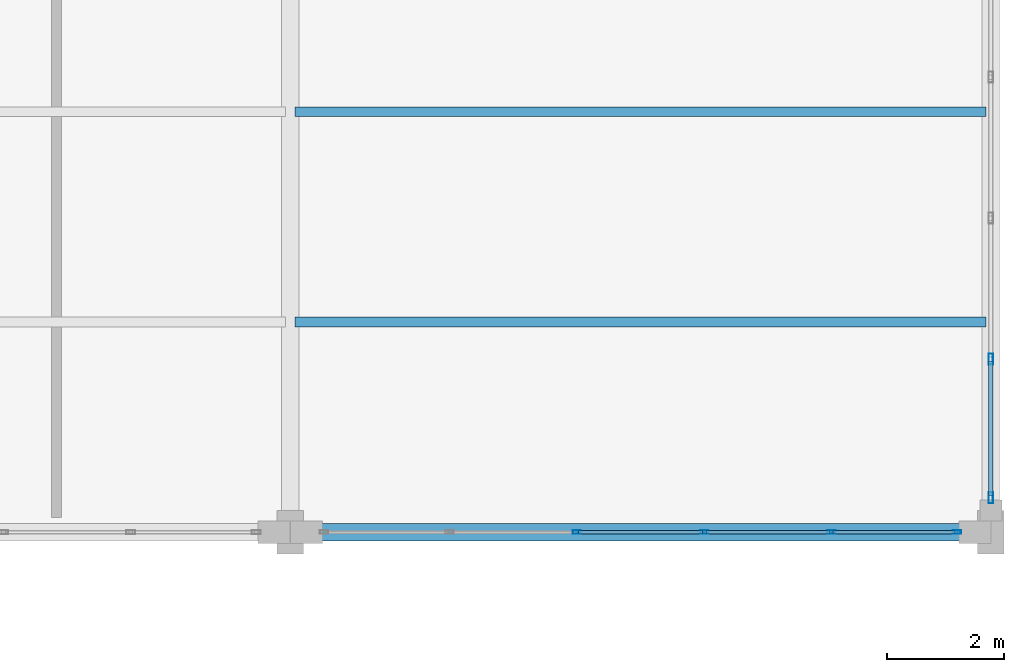
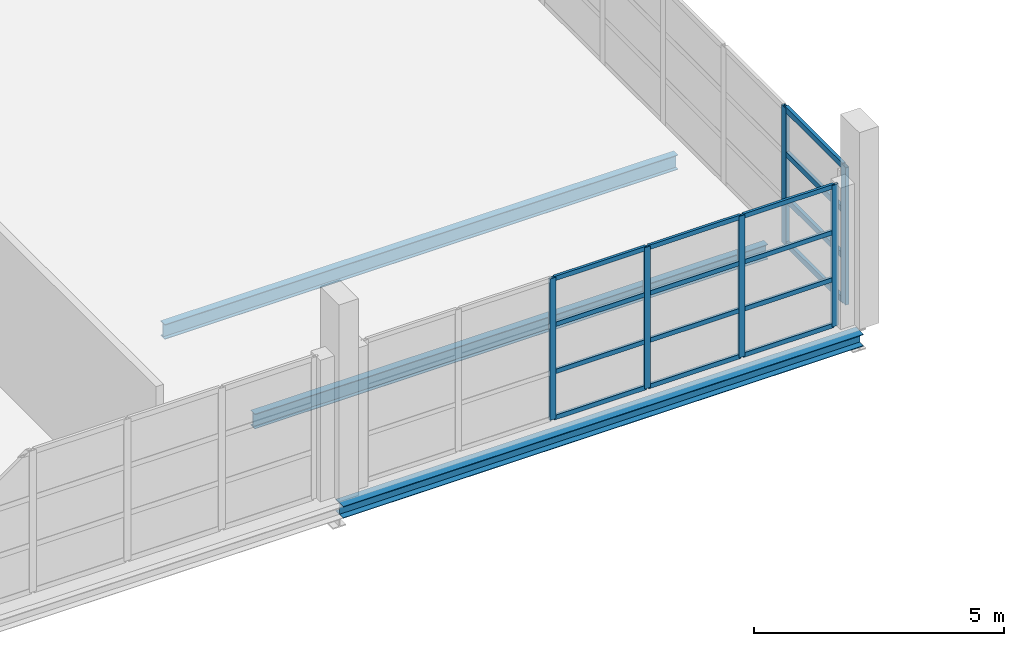
# One storey, part 37 of 86: 22 members, 3 beams, 2 elements without a shape of their own.
"""IFC4 building model written with IfcOpenShell, lengths in metres."""

from ifc_helpers import new_model, si_unit, direction, frame, origin, origin_2d, place, context, subcontext, project, spatial, hollow_rectangle, i_section, extrude, material, layer, layer_set, material_profile, profile_set, type_object, element, aggregate, save


model = new_model("IFC4")

# Units and contexts
model_context = context("Model", 3, precision=1e-05, world=origin(), true_north=direction((0.0, 1.0)))
body_context = subcontext(model_context, "Body", "Model", "MODEL_VIEW")
ifc_project = project(units=[si_unit("LENGTHUNIT", "METRE"), si_unit("AREAUNIT", "SQUARE_METRE"), si_unit("VOLUMEUNIT", "CUBIC_METRE"), si_unit("PLANEANGLEUNIT", "RADIAN"), si_unit("MASSUNIT", "GRAM", prefix="KILO")], contexts=[model_context])

# Site, building, storey
site_placement = place(None, origin())
site = spatial("IfcSite", under=ifc_project, at=site_placement, CompositionType="ELEMENT")
building_placement = place(site_placement, origin())
building = spatial("IfcBuilding", under=site, at=building_placement, Name="Zilviju Railside Exhibition Hall", CompositionType="ELEMENT")
storey_placement = place(building_placement, frame((0.0, 0.0, 12.60009765625)))
storey = spatial("IfcBuildingStorey", under=building, at=storey_placement, Name="L04", CompositionType="ELEMENT", Elevation=12.60009765625)

# Beams
ifc_material_1 = material(Name="Steel S355J2", Category="steel")
ifc_material_profile_1 = material_profile(ifc_material_1, i_section(OverallWidth=0.300048828125, OverallDepth=0.2900390625, WebThickness=0.008544921875, FlangeThickness=0.013916015625, at=origin_2d()), Name="HEA 300")
ifc_profile_set_1 = profile_set([ifc_material_profile_1], Name="Steel S355J2")
beam_type_1 = type_object("IfcBeamType", Name="BM-HEA300", PredefinedType="SPANDREL", material=ifc_profile_set_1)
beam_placement = place(storey_placement, frame((204.0, 84.0, -0.47509765625), z_axis=(1.0, 0.0, 0.0), x_axis=(0.0, 1.0, 0.0)))
element("IfcBeam", 1, at=beam_placement, inside=storey, type_object=beam_type_1, Name="Primary Girder L04 Y=84.0 (204.0..216.0)", PredefinedType="SPANDREL", context=body_context, shape_type="SweptSolid", body=[
    extrude(i_section(OverallWidth=0.300048828125, OverallDepth=0.2900390625, WebThickness=0.008544921875, FlangeThickness=0.013916015625, at=origin_2d()), origin(), (0.0, 0.0, 1.0), 12.0),
])
ifc_material_profile_2 = material_profile(ifc_material_1, i_section(OverallWidth=0.169921875, OverallDepth=0.360107421875, WebThickness=0.008056640625, FlangeThickness=0.0126953125, at=origin_2d()), Name="IPE 360")
ifc_profile_set_2 = profile_set([ifc_material_profile_2], Name="Steel S355J2")
beam_type_2 = type_object("IfcBeamType", Name="BM-IPE360", PredefinedType="JOIST", material=ifc_profile_set_2)
for number, where, z_axis, x_axis, name in (
    (2, (204.080078125, 87.60009765625, -0.510009765625), (1.0, 0.0, 0.0), (0.0, 1.0, 0.0), "Composite Floor Joist L04 Y=87.60 (204.0..216.0)"),
    (3, (204.080078125, 91.199951171875, -0.510009765625), (1.0, 0.0, 0.0), (0.0, 1.0, 0.0), "Composite Floor Joist L04 Y=91.20 (204.0..216.0)"),
):
    element("IfcBeam", number, at=place(storey_placement, frame(where, z_axis=z_axis, x_axis=x_axis)), inside=storey, type_object=beam_type_2, Name=name, PredefinedType="JOIST", context=body_context, shape_type="SweptSolid", body=[
        extrude(i_section(OverallWidth=0.169921875, OverallDepth=0.360107421875, WebThickness=0.008056640625, FlangeThickness=0.0126953125, at=origin_2d()), origin(), (0.0, 0.0, 1.0), 11.83984375),
    ])

# Curtain wall, members
ifc_material_2 = material(Name="Thermally broken aluminium-steel triple-glazed curtain wall", Category="steel")
ifc_layer_1 = layer(ifc_material_2, 0.179931640625)
ifc_layer_set_1 = layer_set([ifc_layer_1], Name="Thermally broken aluminium-steel triple-glazed curtain wall")
curtain_wall_type_1 = type_object("IfcCurtainWallType", Name="CW-BAY-19", PredefinedType="USERDEFINED", material=ifc_layer_set_1)
curtain_wall_1_placement = place(storey_placement, origin())
curtain_wall_1 = element("IfcCurtainWall", 4, at=curtain_wall_1_placement, inside=storey, type_object=curtain_wall_type_1, Name="North Hall Garden Court Curtain Wall L04 (204..216)", ObjectType="GLAZED CURTAIN WALL", PredefinedType="USERDEFINED")
ifc_material_3 = material(Name="Thermally broken anodized aluminium mullion", Category="aluminium")
ifc_material_profile_3 = material_profile(ifc_material_3, hollow_rectangle(XDim=0.06005859375, YDim=0.139892578125, WallThickness=0.0048828125, at=origin_2d()), Name="MULLION 140x60x5")
ifc_profile_set_3 = profile_set([ifc_material_profile_3], Name="Thermally broken anodized aluminium mullion")
member_type_1 = type_object("IfcMemberType", Name="CWM-60x140", PredefinedType="MULLION", material=ifc_profile_set_3)
member_1_placement = place(storey_placement, frame((215.419921875, 84.0, 0.0), z_axis=(0.0, 0.0, 1.0), x_axis=(0.0, -1.0, 0.0)))
member_1 = element("IfcMember", 5, at=member_1_placement, type_object=member_type_1, Name="CW-19 mullion 1", PredefinedType="MULLION", context=body_context, shape_type="SweptSolid", body=[
    extrude(hollow_rectangle(XDim=0.06005859375, YDim=0.139892578125, WallThickness=0.0048828125, at=origin_2d()), origin(), (0.0, 0.0, 1.0), 3.449951171875),
])
member_2_placement = place(storey_placement, frame((213.27001953125, 84.0, 0.0), z_axis=(0.0, 0.0, 1.0), x_axis=(0.0, -1.0, 0.0)))
member_2 = element("IfcMember", 6, at=member_2_placement, type_object=member_type_1, Name="CW-19 mullion 2", PredefinedType="MULLION", context=body_context, shape_type="SweptSolid", body=[
    extrude(hollow_rectangle(XDim=0.06005859375, YDim=0.139892578125, WallThickness=0.0048828125, at=origin_2d()), origin(), (0.0, 0.0, 1.0), 3.449951171875),
])
member_3_placement = place(storey_placement, frame((211.090087890625, 84.0, 0.0), z_axis=(0.0, 0.0, 1.0), x_axis=(0.0, -1.0, 0.0)))
member_3 = element("IfcMember", 7, at=member_3_placement, type_object=member_type_1, Name="CW-19 mullion 3", PredefinedType="MULLION", context=body_context, shape_type="SweptSolid", body=[
    extrude(hollow_rectangle(XDim=0.06005859375, YDim=0.139892578125, WallThickness=0.0048828125, at=origin_2d()), origin(), (0.0, 0.0, 1.0), 3.449951171875),
])
member_4_placement = place(storey_placement, frame((208.909912109375, 84.0, 0.0), z_axis=(0.0, 0.0, 1.0), x_axis=(0.0, -1.0, 0.0)))
member_4 = element("IfcMember", 8, at=member_4_placement, type_object=member_type_1, Name="CW-19 mullion 4", PredefinedType="MULLION", context=body_context, shape_type="SweptSolid", body=[
    extrude(hollow_rectangle(XDim=0.06005859375, YDim=0.139892578125, WallThickness=0.0048828125, at=origin_2d()), origin(), (0.0, 0.0, 1.0), 3.449951171875),
])

ifc_layer_2 = layer(ifc_material_2, 0.179931640625)
ifc_layer_set_2 = layer_set([ifc_layer_2], Name="Thermally broken aluminium-steel triple-glazed curtain wall")
curtain_wall_type_2 = type_object("IfcCurtainWallType", Name="CW-BAY-13", PredefinedType="USERDEFINED", material=ifc_layer_set_2)
curtain_wall_2_placement = place(storey_placement, origin())
curtain_wall_2 = element("IfcCurtainWall", 9, at=curtain_wall_2_placement, inside=storey, type_object=curtain_wall_type_2, Name="North Hall East Glazed Gable L04 (84..102)", ObjectType="GLAZED CURTAIN WALL", PredefinedType="USERDEFINED")
ifc_material_profile_4 = material_profile(ifc_material_3, hollow_rectangle(XDim=0.074951171875, YDim=0.18994140625, WallThickness=0.0048828125, at=origin_2d()), Name="MULLION 190x75x5")
ifc_profile_set_4 = profile_set([ifc_material_profile_4], Name="Thermally broken anodized aluminium mullion")
member_type_2 = type_object("IfcMemberType", Name="CWM-75x190", PredefinedType="MULLION", material=ifc_profile_set_4)
member_5_placement = place(storey_placement, frame((216.0, 86.96435546875, 0.0), z_axis=(0.0, 0.0, 1.0), x_axis=(1.0, 0.0, 0.0)))
member_5 = element("IfcMember", 10, at=member_5_placement, type_object=member_type_2, Name="CW-13 mullion 7", PredefinedType="MULLION", context=body_context, shape_type="SweptSolid", body=[
    extrude(hollow_rectangle(XDim=0.074951171875, YDim=0.18994140625, WallThickness=0.0048828125, at=origin_2d()), origin(), (0.0, 0.0, 1.0), 3.349853515625),
])
member_6_placement = place(storey_placement, frame((216.0, 84.58740234375, 0.0), z_axis=(0.0, 0.0, 1.0), x_axis=(1.0, 0.0, 0.0)))
member_6 = element("IfcMember", 11, at=member_6_placement, type_object=member_type_2, Name="CW-13 mullion 8", PredefinedType="MULLION", context=body_context, shape_type="SweptSolid", body=[
    extrude(hollow_rectangle(XDim=0.074951171875, YDim=0.18994140625, WallThickness=0.0048828125, at=origin_2d()), origin(), (0.0, 0.0, 1.0), 3.349853515625),
])

# Member
ifc_material_4 = material(Name="Thermally broken anodized aluminium transom", Category="aluminium")
ifc_material_profile_5 = material_profile(ifc_material_4, hollow_rectangle(XDim=0.06005859375, YDim=0.110107421875, WallThickness=0.0048828125, at=origin_2d()), Name="TRANSOM 110x60x5")
ifc_profile_set_5 = profile_set([ifc_material_profile_5], Name="Thermally broken anodized aluminium transom")
member_type_3 = type_object("IfcMemberType", Name="CWT-60x110", PredefinedType="USERDEFINED", material=ifc_profile_set_5)
member_7_placement = place(storey_placement, frame((215.389892578125, 84.0, 0.02978515625), z_axis=(-1.0, 0.0, 0.0), x_axis=(0.0, -1.0, 0.0)))
member_7 = element("IfcMember", 12, at=member_7_placement, type_object=member_type_3, Name="CW-19 transom 1.1", ObjectType="TRANSOM", PredefinedType="USERDEFINED", context=body_context, shape_type="SweptSolid", body=[
    extrude(hollow_rectangle(XDim=0.06005859375, YDim=0.110107421875, WallThickness=0.0048828125, at=origin_2d()), origin(), (0.0, 0.0, 1.0), 2.08984375),
])

member_8_placement = place(storey_placement, frame((215.389892578125, 84.0, 1.14990234375), z_axis=(-1.0, 0.0, 0.0), x_axis=(0.0, -1.0, 0.0)))
member_8 = element("IfcMember", 13, at=member_8_placement, type_object=member_type_3, Name="CW-19 transom 1.2", ObjectType="TRANSOM", PredefinedType="USERDEFINED", context=body_context, shape_type="SweptSolid", body=[
    extrude(hollow_rectangle(XDim=0.06005859375, YDim=0.110107421875, WallThickness=0.0048828125, at=origin_2d()), origin(), (0.0, 0.0, 1.0), 2.08984375),
])

member_9_placement = place(storey_placement, frame((215.389892578125, 84.0, 2.2998046875), z_axis=(-1.0, 0.0, 0.0), x_axis=(0.0, -1.0, 0.0)))
member_9 = element("IfcMember", 14, at=member_9_placement, type_object=member_type_3, Name="CW-19 transom 1.3", ObjectType="TRANSOM", PredefinedType="USERDEFINED", context=body_context, shape_type="SweptSolid", body=[
    extrude(hollow_rectangle(XDim=0.06005859375, YDim=0.110107421875, WallThickness=0.0048828125, at=origin_2d()), origin(), (0.0, 0.0, 1.0), 2.08984375),
])

member_10_placement = place(storey_placement, frame((215.389892578125, 84.0, 3.419921875), z_axis=(-1.0, 0.0, 0.0), x_axis=(0.0, -1.0, 0.0)))
member_10 = element("IfcMember", 15, at=member_10_placement, type_object=member_type_3, Name="CW-19 transom 1.4", ObjectType="TRANSOM", PredefinedType="USERDEFINED", context=body_context, shape_type="SweptSolid", body=[
    extrude(hollow_rectangle(XDim=0.06005859375, YDim=0.110107421875, WallThickness=0.0048828125, at=origin_2d()), origin(), (0.0, 0.0, 1.0), 2.08984375),
])

member_11_placement = place(storey_placement, frame((213.239990234375, 84.0, 0.02978515625), z_axis=(-1.0, 0.0, 0.0), x_axis=(0.0, -1.0, 0.0)))
member_11 = element("IfcMember", 16, at=member_11_placement, type_object=member_type_3, Name="CW-19 transom 2.1", ObjectType="TRANSOM", PredefinedType="USERDEFINED", context=body_context, shape_type="SweptSolid", body=[
    extrude(hollow_rectangle(XDim=0.06005859375, YDim=0.110107421875, WallThickness=0.0048828125, at=origin_2d()), origin(), (0.0, 0.0, 1.0), 2.119873046875),
])

member_12_placement = place(storey_placement, frame((213.239990234375, 84.0, 1.14990234375), z_axis=(-1.0, 0.0, 0.0), x_axis=(0.0, -1.0, 0.0)))
member_12 = element("IfcMember", 17, at=member_12_placement, type_object=member_type_3, Name="CW-19 transom 2.2", ObjectType="TRANSOM", PredefinedType="USERDEFINED", context=body_context, shape_type="SweptSolid", body=[
    extrude(hollow_rectangle(XDim=0.06005859375, YDim=0.110107421875, WallThickness=0.0048828125, at=origin_2d()), origin(), (0.0, 0.0, 1.0), 2.119873046875),
])

member_13_placement = place(storey_placement, frame((213.239990234375, 84.0, 2.2998046875), z_axis=(-1.0, 0.0, 0.0), x_axis=(0.0, -1.0, 0.0)))
member_13 = element("IfcMember", 18, at=member_13_placement, type_object=member_type_3, Name="CW-19 transom 2.3", ObjectType="TRANSOM", PredefinedType="USERDEFINED", context=body_context, shape_type="SweptSolid", body=[
    extrude(hollow_rectangle(XDim=0.06005859375, YDim=0.110107421875, WallThickness=0.0048828125, at=origin_2d()), origin(), (0.0, 0.0, 1.0), 2.119873046875),
])

member_14_placement = place(storey_placement, frame((213.239990234375, 84.0, 3.419921875), z_axis=(-1.0, 0.0, 0.0), x_axis=(0.0, -1.0, 0.0)))
member_14 = element("IfcMember", 19, at=member_14_placement, type_object=member_type_3, Name="CW-19 transom 2.4", ObjectType="TRANSOM", PredefinedType="USERDEFINED", context=body_context, shape_type="SweptSolid", body=[
    extrude(hollow_rectangle(XDim=0.06005859375, YDim=0.110107421875, WallThickness=0.0048828125, at=origin_2d()), origin(), (0.0, 0.0, 1.0), 2.119873046875),
])

member_15_placement = place(storey_placement, frame((211.06005859375, 84.0, 0.02978515625), z_axis=(-1.0, 0.0, 0.0), x_axis=(0.0, -1.0, 0.0)))
member_15 = element("IfcMember", 20, at=member_15_placement, type_object=member_type_3, Name="CW-19 transom 3.1", ObjectType="TRANSOM", PredefinedType="USERDEFINED", context=body_context, shape_type="SweptSolid", body=[
    extrude(hollow_rectangle(XDim=0.06005859375, YDim=0.110107421875, WallThickness=0.0048828125, at=origin_2d()), origin(), (0.0, 0.0, 1.0), 2.1201171875),
])

member_16_placement = place(storey_placement, frame((211.06005859375, 84.0, 1.14990234375), z_axis=(-1.0, 0.0, 0.0), x_axis=(0.0, -1.0, 0.0)))
member_16 = element("IfcMember", 21, at=member_16_placement, type_object=member_type_3, Name="CW-19 transom 3.2", ObjectType="TRANSOM", PredefinedType="USERDEFINED", context=body_context, shape_type="SweptSolid", body=[
    extrude(hollow_rectangle(XDim=0.06005859375, YDim=0.110107421875, WallThickness=0.0048828125, at=origin_2d()), origin(), (0.0, 0.0, 1.0), 2.1201171875),
])

member_17_placement = place(storey_placement, frame((211.06005859375, 84.0, 2.2998046875), z_axis=(-1.0, 0.0, 0.0), x_axis=(0.0, -1.0, 0.0)))
member_17 = element("IfcMember", 22, at=member_17_placement, type_object=member_type_3, Name="CW-19 transom 3.3", ObjectType="TRANSOM", PredefinedType="USERDEFINED", context=body_context, shape_type="SweptSolid", body=[
    extrude(hollow_rectangle(XDim=0.06005859375, YDim=0.110107421875, WallThickness=0.0048828125, at=origin_2d()), origin(), (0.0, 0.0, 1.0), 2.1201171875),
])

member_18_placement = place(storey_placement, frame((211.06005859375, 84.0, 3.419921875), z_axis=(-1.0, 0.0, 0.0), x_axis=(0.0, -1.0, 0.0)))
member_18 = element("IfcMember", 23, at=member_18_placement, type_object=member_type_3, Name="CW-19 transom 3.4", ObjectType="TRANSOM", PredefinedType="USERDEFINED", context=body_context, shape_type="SweptSolid", body=[
    extrude(hollow_rectangle(XDim=0.06005859375, YDim=0.110107421875, WallThickness=0.0048828125, at=origin_2d()), origin(), (0.0, 0.0, 1.0), 2.1201171875),
])

aggregate(curtain_wall_1, [member_1, member_2, member_3, member_4, member_7, member_8, member_9, member_10, member_11, member_12, member_13, member_14, member_15, member_16, member_17, member_18])

ifc_material_profile_6 = material_profile(ifc_material_4, hollow_rectangle(XDim=0.074951171875, YDim=0.139892578125, WallThickness=0.0048828125, at=origin_2d()), Name="TRANSOM 140x75x5")
ifc_profile_set_6 = profile_set([ifc_material_profile_6], Name="Thermally broken anodized aluminium transom")
member_type_4 = type_object("IfcMemberType", Name="CWT-75x140", PredefinedType="USERDEFINED", material=ifc_profile_set_6)
member_19_placement = place(storey_placement, frame((216.0, 86.9267578125, 0.037353515625), z_axis=(0.0, -1.0, 0.0), x_axis=(1.0, 0.0, 0.0)))
member_19 = element("IfcMember", 24, at=member_19_placement, type_object=member_type_4, Name="CW-13 transom 7.1", ObjectType="TRANSOM", PredefinedType="USERDEFINED", context=body_context, shape_type="SweptSolid", body=[
    extrude(hollow_rectangle(XDim=0.074951171875, YDim=0.139892578125, WallThickness=0.0048828125, at=origin_2d()), origin(), (0.0, 0.0, 1.0), 2.3017578125),
])

member_20_placement = place(storey_placement, frame((216.0, 86.9267578125, 1.116943359375), z_axis=(0.0, -1.0, 0.0), x_axis=(1.0, 0.0, 0.0)))
member_20 = element("IfcMember", 25, at=member_20_placement, type_object=member_type_4, Name="CW-13 transom 7.2", ObjectType="TRANSOM", PredefinedType="USERDEFINED", context=body_context, shape_type="SweptSolid", body=[
    extrude(hollow_rectangle(XDim=0.074951171875, YDim=0.139892578125, WallThickness=0.0048828125, at=origin_2d()), origin(), (0.0, 0.0, 1.0), 2.3017578125),
])

member_21_placement = place(storey_placement, frame((216.0, 86.9267578125, 2.23291015625), z_axis=(0.0, -1.0, 0.0), x_axis=(1.0, 0.0, 0.0)))
member_21 = element("IfcMember", 26, at=member_21_placement, type_object=member_type_4, Name="CW-13 transom 7.3", ObjectType="TRANSOM", PredefinedType="USERDEFINED", context=body_context, shape_type="SweptSolid", body=[
    extrude(hollow_rectangle(XDim=0.074951171875, YDim=0.139892578125, WallThickness=0.0048828125, at=origin_2d()), origin(), (0.0, 0.0, 1.0), 2.3017578125),
])

member_22_placement = place(storey_placement, frame((216.0, 86.9267578125, 3.3125), z_axis=(0.0, -1.0, 0.0), x_axis=(1.0, 0.0, 0.0)))
member_22 = element("IfcMember", 27, at=member_22_placement, type_object=member_type_4, Name="CW-13 transom 7.4", ObjectType="TRANSOM", PredefinedType="USERDEFINED", context=body_context, shape_type="SweptSolid", body=[
    extrude(hollow_rectangle(XDim=0.074951171875, YDim=0.139892578125, WallThickness=0.0048828125, at=origin_2d()), origin(), (0.0, 0.0, 1.0), 2.3017578125),
])

aggregate(curtain_wall_2, [member_5, member_6, member_19, member_20, member_21, member_22])

save(model, "model.ifc")
